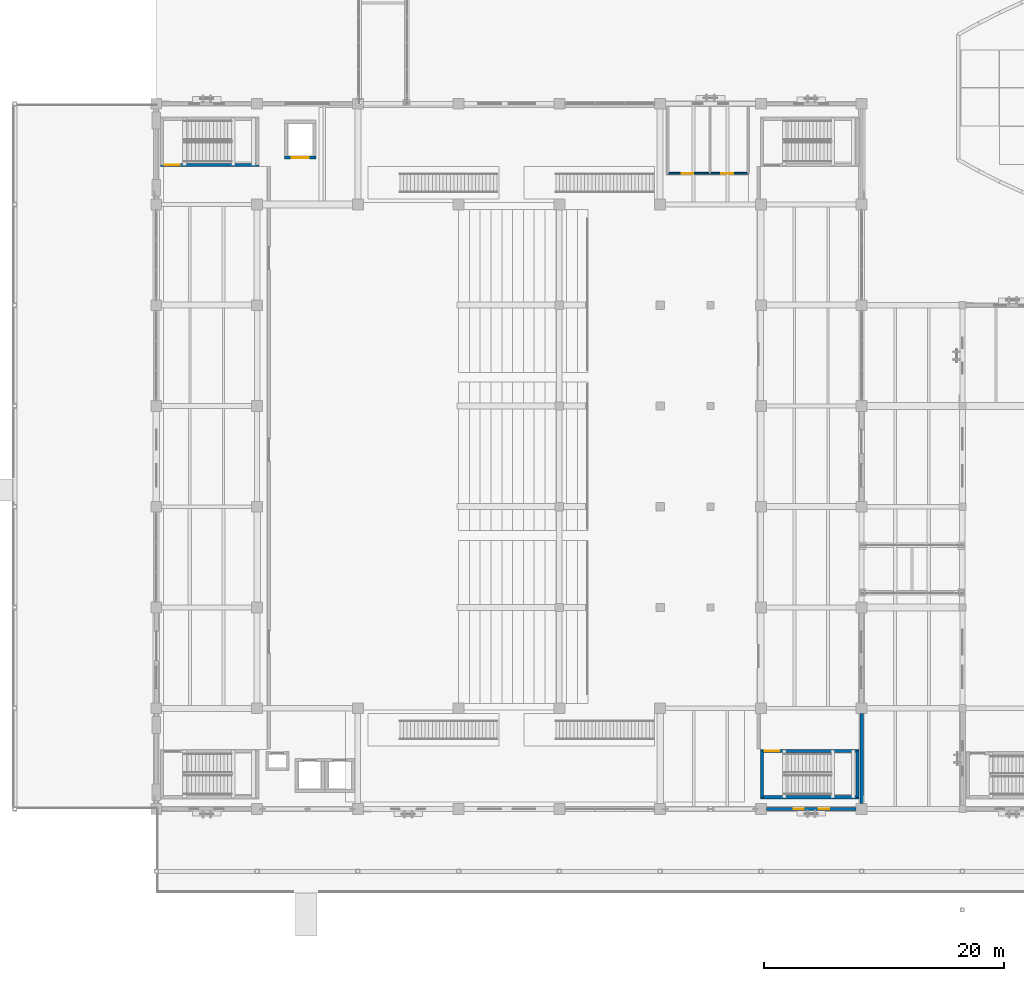
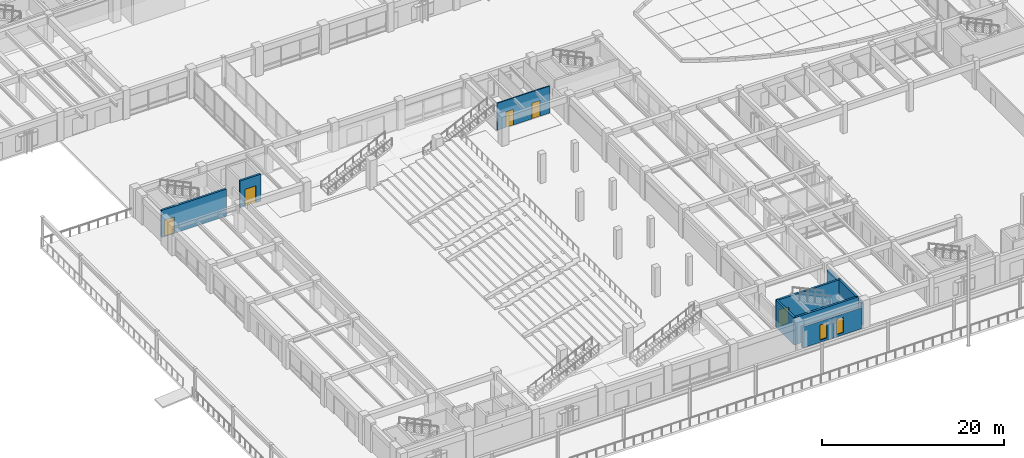
# One storey, part 85 of 135: 9 walls, 5 doors, 2 windows, 7 openings.
"""IFC4 building model written with IfcOpenShell, lengths in metres."""

from ifc_helpers import new_model, si_unit, direction, frame, frame_2d, origin, place, context, subcontext, project, spatial, rectangle, extrude, material, layer, layer_set, type_object, element, fill, save


model = new_model("IFC4")

# Units and contexts
model_context = context("Model", 3, precision=1e-05, world=origin(), true_north=direction((0.0, 1.0)))
body_context = subcontext(model_context, "Body", "Model", "MODEL_VIEW")
ifc_project = project(units=[si_unit("LENGTHUNIT", "METRE"), si_unit("AREAUNIT", "SQUARE_METRE"), si_unit("VOLUMEUNIT", "CUBIC_METRE"), si_unit("PLANEANGLEUNIT", "RADIAN"), si_unit("MASSUNIT", "GRAM", prefix="KILO")], contexts=[model_context])

# Site, building, storey
site_placement = place(None, origin())
site = spatial("IfcSite", under=ifc_project, at=site_placement, CompositionType="ELEMENT")
building_placement = place(site_placement, origin())
building = spatial("IfcBuilding", under=site, at=building_placement, Name="Cumbredor Promenade Congress Hotel", CompositionType="ELEMENT")
storey_placement = place(building_placement, origin())
storey = spatial("IfcBuildingStorey", under=building, at=storey_placement, Name="L00", CompositionType="ELEMENT", Elevation=0.0)

# Wall, openings, windows
ifc_material_1 = material(Name="Concrete C40/50", Category="concrete")
ifc_layer_1 = layer(ifc_material_1, 0.260009765625, Name="Concrete C40/50", Category="concrete")
ifc_layer_set_1 = layer_set([ifc_layer_1], Name="Concrete C40/50")
wall_type_1 = type_object("IfcWallType", Name="WL-EXT-260", PredefinedType="SOLIDWALL", material=ifc_layer_set_1)
wall_1_placement = place(storey_placement, frame((59.2509765625, 8.39990234375, 0.0), z_axis=(0.0, 0.0, 1.0), x_axis=(1.0, 0.0, 0.0)))
wall_1 = element("IfcWall", 1, at=wall_1_placement, inside=storey, type_object=wall_type_1, Name="L00 Plenary Congress Hall South Envelope Wall 7", PredefinedType="SOLIDWALL", context=body_context, shape_type="SweptSolid", body=[
    extrude(rectangle(XDim=7.498046875, YDim=0.260009765625, at=frame_2d((3.7490234375, 0.0))), origin(), (0.0, 0.0, 1.0), 2.824951171875),
])
opening_1_placement = place(wall_1_placement, frame((2.26904296875, 0.0, 0.300048828125)))
opening_1 = element("IfcOpeningElement", 2, at=opening_1_placement, cuts=wall_1, Name="Opening WN-55", PredefinedType="OPENING", context=body_context, shape_type="SweptSolid", body=[
    extrude(rectangle(XDim=0.860107421875, YDim=2.050048828125, at=frame_2d((0.43017578125, 1.02490234375))), frame((0.0, 0.14013671875, 0.0), z_axis=(0.0, -1.0, 0.0), x_axis=(1.0, 0.0, 0.0)), (0.0, 0.0, 1.0), 0.280029296875),
])
opening_2_placement = place(wall_1_placement, frame((4.368896484375, 0.0, 0.300048828125)))
opening_2 = element("IfcOpeningElement", 3, at=opening_2_placement, cuts=wall_1, Name="Opening WN-55", PredefinedType="OPENING", context=body_context, shape_type="SweptSolid", body=[
    extrude(rectangle(XDim=0.860107421875, YDim=2.050048828125, at=frame_2d((0.43017578125, 1.02490234375))), frame((0.0, 0.14013671875, 0.0), z_axis=(0.0, -1.0, 0.0), x_axis=(1.0, 0.0, 0.0)), (0.0, 0.0, 1.0), 0.280029296875),
])
ifc_material_2 = material(Name="Thermally broken anodized aluminium and low-E glass", Category="aluminium")
window_type = type_object("IfcWindowType", Name="Vertical Slot Window WN-55 860x2050", PartitioningType="SINGLE_PANEL", PredefinedType="WINDOW", material=ifc_material_2)
window_1_placement = place(opening_1_placement, origin())
window_1 = element("IfcWindow", 4, at=window_1_placement, inside=storey, type_object=window_type, Name="L00 Vertical Slot Window 0005", OverallHeight=2.050048828125, OverallWidth=0.860107421875, PartitioningType="SINGLE_PANEL", PredefinedType="WINDOW", context=body_context, shape_type="SweptSolid", body=[
    extrude(rectangle(XDim=0.860107421875, YDim=2.050048828125, at=frame_2d((0.43017578125, 1.02490234375))), frame((0.0, 0.030029296875, 0.0), z_axis=(0.0, -1.0, 0.0), x_axis=(1.0, 0.0, 0.0)), (0.0, 0.0, 1.0), 0.06005859375),
])
fill(opening_1, window_1)
window_2_placement = place(opening_2_placement, origin())
window_2 = element("IfcWindow", 5, at=window_2_placement, inside=storey, type_object=window_type, Name="L00 Vertical Slot Window 0006", OverallHeight=2.050048828125, OverallWidth=0.860107421875, PartitioningType="SINGLE_PANEL", PredefinedType="WINDOW", context=body_context, shape_type="SweptSolid", body=[
    extrude(rectangle(XDim=0.860107421875, YDim=2.050048828125, at=frame_2d((0.43017578125, 1.02490234375))), frame((0.0, 0.030029296875, 0.0), z_axis=(0.0, -1.0, 0.0), x_axis=(1.0, 0.0, 0.0)), (0.0, 0.0, 1.0), 0.06005859375),
])
fill(opening_2, window_2)

# Wall
ifc_layer_2 = layer(ifc_material_1, 0.300048828125, Name="Concrete C40/50", Category="concrete")
ifc_layer_set_2 = layer_set([ifc_layer_2], Name="Concrete C40/50")
wall_type_2 = type_object("IfcWallType", Name="WL-EXT-300", PredefinedType="SOLIDWALL", material=ifc_layer_set_2)
wall_2_placement = place(storey_placement, frame((67.199951171875, 8.85107421875, 0.0), z_axis=(0.0, 0.0, 1.0), x_axis=(0.0, 1.0, 0.0)))
element("IfcWall", 6, at=wall_2_placement, inside=storey, type_object=wall_type_2, Name="L00 Plenary Congress Hall East Envelope Wall 1", PredefinedType="SOLIDWALL", context=body_context, shape_type="SweptSolid", body=[
    extrude(rectangle(XDim=7.498046875, YDim=0.300048828125, at=frame_2d((3.7490234375, 0.0))), origin(), (0.0, 0.0, 1.0), 2.97509765625),
])

# Wall, openings, doors
ifc_material_3 = material(Name="Acoustic gypsum partition on steel studs", Category="steel")
ifc_layer_3 = layer(ifc_material_3, 0.139892578125, Name="Acoustic gypsum partition on steel studs", Category="steel")
ifc_layer_set_3 = layer_set([ifc_layer_3], Name="Acoustic gypsum partition on steel studs")
wall_type_3 = type_object("IfcWallType", Name="WL-PART-140", PredefinedType="PARTITIONING", material=ifc_layer_set_3)
wall_3_placement = place(storey_placement, frame((51.050048828125, 61.39990234375, 0.0), z_axis=(0.0, 0.0, 1.0), x_axis=(1.0, 0.0, 0.0)))
wall_3 = element("IfcWall", 7, at=wall_3_placement, inside=storey, type_object=wall_type_3, Name="L00 Interior Partition W-L00-V1-WC", PredefinedType="PARTITIONING", context=body_context, shape_type="SweptSolid", body=[
    extrude(rectangle(XDim=6.699951171875, YDim=0.139892578125, at=frame_2d((3.35009765625, 0.0))), origin(), (0.0, 0.0, 1.0), 3.639892578125),
])
opening_3_placement = place(wall_3_placement, frame((1.14990234375, 0.0, 0.0)))
opening_3 = element("IfcOpeningElement", 8, at=opening_3_placement, cuts=wall_3, Name="Opening ID-02", PredefinedType="OPENING", context=body_context, shape_type="SweptSolid", body=[
    extrude(rectangle(XDim=0.949951171875, YDim=2.10009765625, at=frame_2d((0.47509765625, 1.050048828125))), frame((0.0, 0.080078125, 0.0), z_axis=(0.0, -1.0, 0.0), x_axis=(1.0, 0.0, 0.0)), (0.0, 0.0, 1.0), 0.159912109375),
])
opening_4_placement = place(wall_3_placement, frame((4.449951171875, 0.0, 0.0)))
opening_4 = element("IfcOpeningElement", 9, at=opening_4_placement, cuts=wall_3, Name="Opening ID-03", PredefinedType="OPENING", context=body_context, shape_type="SweptSolid", body=[
    extrude(rectangle(XDim=1.0, YDim=2.10009765625, at=frame_2d((0.5, 1.050048828125))), frame((0.0, 0.080078125, 0.0), z_axis=(0.0, -1.0, 0.0), x_axis=(1.0, 0.0, 0.0)), (0.0, 0.0, 1.0), 0.159912109375),
])
ifc_material_4 = material(Name="Kiln-dried tropical hardwood", Category="wood")
door_type_1 = type_object("IfcDoorType", Name="DR-ACC-1000", OperationType="NOTDEFINED", PredefinedType="DOOR", material=ifc_material_4)
door_1_placement = place(opening_4_placement, origin())
door_1 = element("IfcDoor", 10, at=door_1_placement, inside=storey, type_object=door_type_1, Name="L00 Interior Door W-L00-V1-WC-02", OperationType="SINGLE_SWING_RIGHT", OverallHeight=2.10009765625, OverallWidth=1.0, PredefinedType="DOOR", context=body_context, shape_type="SweptSolid", body=[
    extrude(rectangle(XDim=1.0, YDim=2.10009765625, at=frame_2d((0.5, 1.050048828125))), frame((0.0, 0.02490234375, 0.0), z_axis=(0.0, -1.0, 0.0), x_axis=(1.0, 0.0, 0.0)), (0.0, 0.0, 1.0), 0.050048828125),
])
fill(opening_4, door_1)
door_type_2 = type_object("IfcDoorType", Name="DR-INT-950", OperationType="NOTDEFINED", PredefinedType="DOOR", material=ifc_material_4)
door_2_placement = place(opening_3_placement, origin())
door_2 = element("IfcDoor", 11, at=door_2_placement, inside=storey, type_object=door_type_2, Name="L00 Interior Door W-L00-V1-WC-01", OperationType="SINGLE_SWING_LEFT", OverallHeight=2.10009765625, OverallWidth=0.949951171875, PredefinedType="DOOR", context=body_context, shape_type="SweptSolid", body=[
    extrude(rectangle(XDim=0.949951171875, YDim=2.10009765625, at=frame_2d((0.47509765625, 1.050048828125))), frame((0.0, 0.02490234375, 0.0), z_axis=(0.0, -1.0, 0.0), x_axis=(1.0, 0.0, 0.0)), (0.0, 0.0, 1.0), 0.050048828125),
])
fill(opening_3, door_2)

# Wall
ifc_layer_4 = layer(ifc_material_1, 0.2548828125, Name="Concrete C40/50", Category="concrete")
ifc_layer_set_4 = layer_set([ifc_layer_4], Name="Concrete C40/50")
wall_type_4 = type_object("IfcWallType", Name="WL-SHAFT-250", PredefinedType="SOLIDWALL", material=ifc_layer_set_4)
wall_4_placement = place(storey_placement, frame((58.75244140625, 9.3798828125, 0.0), z_axis=(0.0, 0.0, 1.0), x_axis=(1.0, 0.0, 0.0)))
element("IfcWall", 12, at=wall_4_placement, inside=storey, type_object=wall_type_4, Name="STAIR-ST-05-L00 Shaft Wall South", PredefinedType="SOLIDWALL", context=body_context, shape_type="SweptSolid", body=[
    extrude(rectangle(XDim=8.22509765625, YDim=0.2548828125, at=frame_2d((4.112548828125, 0.0))), origin(), (0.0, 0.0, 1.0), 3.639892578125),
])

# Wall, opening, door
wall_5_placement = place(storey_placement, frame((58.75244140625, 13.25, 0.0), z_axis=(0.0, 0.0, 1.0), x_axis=(1.0, 0.0, 0.0)))
wall_5 = element("IfcWall", 13, at=wall_5_placement, inside=storey, type_object=wall_type_4, Name="STAIR-ST-05-L00 Shaft Wall North", PredefinedType="SOLIDWALL", context=body_context, shape_type="SweptSolid", body=[
    extrude(rectangle(XDim=8.22509765625, YDim=0.2548828125, at=frame_2d((4.112548828125, 0.0))), origin(), (0.0, 0.0, 1.0), 3.639892578125),
])
opening_5_placement = place(wall_5_placement, frame((0.35009765625, 0.0, 0.0)))
opening_5 = element("IfcOpeningElement", 14, at=opening_5_placement, cuts=wall_5, Name="Opening SD-02", PredefinedType="OPENING", context=body_context, shape_type="SweptSolid", body=[
    extrude(rectangle(XDim=1.25, YDim=2.199951171875, at=frame_2d((0.625, 1.10009765625))), frame((0.0, 0.137451171875, 0.0), z_axis=(0.0, -1.0, 0.0), x_axis=(1.0, 0.0, 0.0)), (0.0, 0.0, 1.0), 0.27490234375),
])
ifc_material_5 = material(Name="Painted galvanized steel fire door", Category="steel")
door_type_3 = type_object("IfcDoorType", Name="DR-STAIR-FD90-1250", OperationType="NOTDEFINED", PredefinedType="DOOR", material=ifc_material_5)
door_3_placement = place(opening_5_placement, origin())
door_3 = element("IfcDoor", 15, at=door_3_placement, inside=storey, type_object=door_type_3, Name="L00 Protected Exit Stair ST-05 Door", OperationType="SINGLE_SWING_LEFT", OverallHeight=2.199951171875, OverallWidth=1.25, PredefinedType="DOOR", context=body_context, shape_type="SweptSolid", body=[
    extrude(rectangle(XDim=1.25, YDim=2.199951171875, at=frame_2d((0.625, 1.10009765625))), frame((0.0, 0.02490234375, 0.0), z_axis=(0.0, -1.0, 0.0), x_axis=(1.0, 0.0, 0.0)), (0.0, 0.0, 1.0), 0.050048828125),
])
fill(opening_5, door_3)

# Walls
for number, where, z_axis, x_axis, name in (
    (16, (58.8798828125, 9.3798828125, 0.0), (0.0, 0.0, 1.0), (0.0, 1.0, 0.0), "STAIR-ST-05-L00 Shaft Wall West"),
    (17, (66.85009765625, 9.3798828125, 0.0), (0.0, 0.0, 1.0), (0.0, 1.0, 0.0), "STAIR-ST-05-L00 Shaft Wall East"),
):
    element("IfcWall", number, at=place(storey_placement, frame(where, z_axis=z_axis, x_axis=x_axis)), inside=storey, type_object=wall_type_4, Name=name, PredefinedType="SOLIDWALL", context=body_context, shape_type="SweptSolid", body=[
        extrude(rectangle(XDim=3.8701171875, YDim=0.2548828125, at=frame_2d((1.93505859375, 0.0))), origin(), (0.0, 0.0, 1.0), 3.639892578125),
    ])

# Wall, opening, door
wall_6_placement = place(storey_placement, frame((8.75244140625, 62.10009765625, 0.0), z_axis=(0.0, 0.0, 1.0), x_axis=(1.0, 0.0, 0.0)))
wall_6 = element("IfcWall", 18, at=wall_6_placement, inside=storey, type_object=wall_type_4, Name="STAIR-ST-06-L00 Shaft Wall South", PredefinedType="SOLIDWALL", context=body_context, shape_type="SweptSolid", body=[
    extrude(rectangle(XDim=8.22509765625, YDim=0.2548828125, at=frame_2d((4.112548828125, 0.0))), origin(), (0.0, 0.0, 1.0), 3.639892578125),
])
opening_6_placement = place(wall_6_placement, frame((0.35009765625, 0.0, 0.0)))
opening_6 = element("IfcOpeningElement", 19, at=opening_6_placement, cuts=wall_6, Name="Opening SD-02", PredefinedType="OPENING", context=body_context, shape_type="SweptSolid", body=[
    extrude(rectangle(XDim=1.25, YDim=2.199951171875, at=frame_2d((0.625, 1.10009765625))), frame((0.0, 0.137451171875, 0.0), z_axis=(0.0, -1.0, 0.0), x_axis=(1.0, 0.0, 0.0)), (0.0, 0.0, 1.0), 0.27490234375),
])
door_4_placement = place(opening_6_placement, origin())
door_4 = element("IfcDoor", 20, at=door_4_placement, inside=storey, type_object=door_type_3, Name="L00 Protected Exit Stair ST-06 Door", OperationType="SINGLE_SWING_LEFT", OverallHeight=2.199951171875, OverallWidth=1.25, PredefinedType="DOOR", context=body_context, shape_type="SweptSolid", body=[
    extrude(rectangle(XDim=1.25, YDim=2.199951171875, at=frame_2d((0.625, 1.10009765625))), frame((0.0, 0.02490234375, 0.0), z_axis=(0.0, -1.0, 0.0), x_axis=(1.0, 0.0, 0.0)), (0.0, 0.0, 1.0), 0.050048828125),
])
fill(opening_6, door_4)

wall_7_placement = place(storey_placement, frame((19.072509765625, 62.699951171875, 0.0), z_axis=(0.0, 0.0, 1.0), x_axis=(1.0, 0.0, 0.0)))
wall_7 = element("IfcWall", 21, at=wall_7_placement, inside=storey, type_object=wall_type_4, Name="SHAFT-SV-01-L00 Shaft Wall South", PredefinedType="SOLIDWALL", context=body_context, shape_type="SweptSolid", body=[
    extrude(rectangle(XDim=2.655029296875, YDim=0.2548828125, at=frame_2d((1.32763671875, 0.0))), origin(), (0.0, 0.0, 1.0), 3.639892578125),
])
opening_7_placement = place(wall_7_placement, frame((0.62744140625, 0.0, 0.0)))
opening_7 = element("IfcOpeningElement", 22, at=opening_7_placement, cuts=wall_7, Name="Opening LD-03", PredefinedType="OPENING", context=body_context, shape_type="SweptSolid", body=[
    extrude(rectangle(XDim=1.39990234375, YDim=2.300048828125, at=frame_2d((0.699951171875, 1.14990234375))), frame((0.0, 0.137451171875, 0.0), z_axis=(0.0, -1.0, 0.0), x_axis=(1.0, 0.0, 0.0)), (0.0, 0.0, 1.0), 0.27490234375),
])
ifc_material_6 = material(Name="Brushed stainless steel", Category="steel")
door_type_4 = type_object("IfcDoorType", Name="Service Lift Sliding Door LD-03 1400x2300", OperationType="DOUBLE_DOOR_SLIDING", PredefinedType="DOOR", material=ifc_material_6)
door_5_placement = place(opening_7_placement, origin())
door_5 = element("IfcDoor", 23, at=door_5_placement, inside=storey, type_object=door_type_4, Name="L00 Plenary Stage Goods Lift SV-01 Sliding Landing Door", OperationType="DOUBLE_DOOR_SLIDING", OverallHeight=2.300048828125, OverallWidth=1.39990234375, PredefinedType="DOOR", context=body_context, shape_type="SweptSolid", body=[
    extrude(rectangle(XDim=1.39990234375, YDim=2.300048828125, at=frame_2d((0.699951171875, 1.14990234375))), frame((0.0, 0.02490234375, 0.0), z_axis=(0.0, -1.0, 0.0), x_axis=(1.0, 0.0, 0.0)), (0.0, 0.0, 1.0), 0.050048828125),
])
fill(opening_7, door_5)

save(model, "model.ifc")
